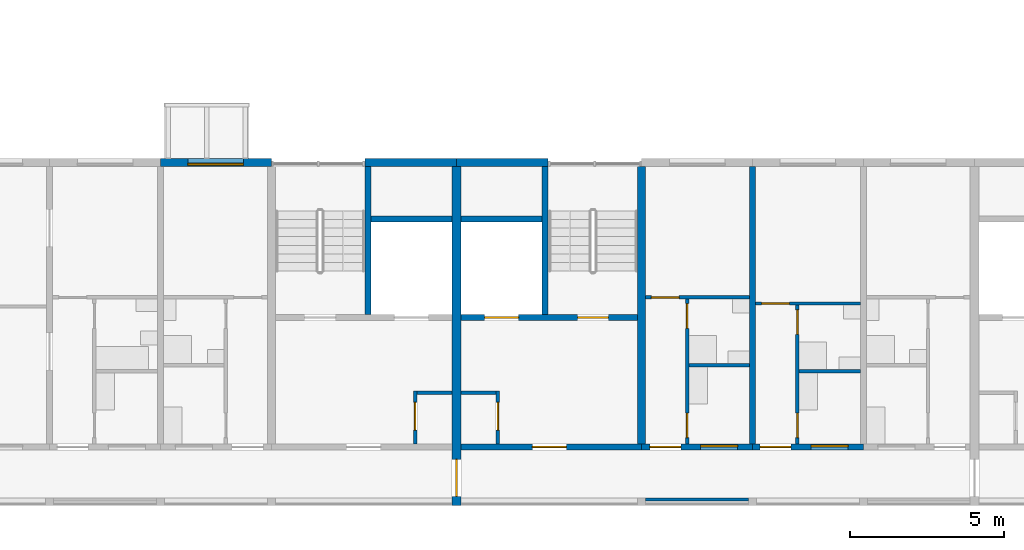
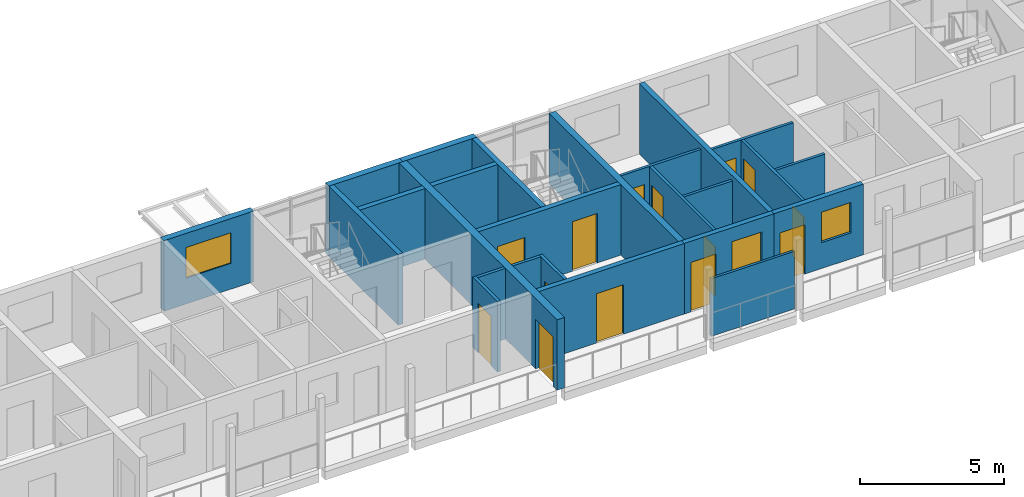
# One storey, part 46 of 78: 25 walls, 14 doors, 3 windows, 17 openings.
"""IFC4 building model written with IfcOpenShell, lengths in metres."""

import ifcopenshell
import ifcopenshell.guid

model = None  # the IFC model being written
_history = None  # IfcOwnerHistory: only IFC2X3 demands one
_inside = {}  # id of a spatial element -> (the spatial element, [elements in it])
_under = {}  # id of a project, library or spatial element -> (it, [spatial elements below it])
_declared = {}  # id of a project -> (the project, [libraries it declares])
_typed = {}  # id of a type object -> (the type object, [elements of that type])
_made_of = {}  # id of a material, layer set ... -> (it, [elements and type objects made of it])


def new_model(schema):
    """Start an empty IFC model of exactly this schema.

    Asked for "IFC4X3", IfcOpenShell would pick the latest addendum, in which some entities
    have other attributes; the version numbers below select the first issue.
    IFC2X3 requires an IfcOwnerHistory on every rooted entity: one is made here for all.
    """
    global model, _history
    if schema == "IFC4X3":
        model = ifcopenshell.file(schema_version=(4, 3, 0, 0))
    else:
        model = ifcopenshell.file(schema=schema)
    _inside.clear()
    _under.clear()
    _declared.clear()
    _typed.clear()
    _made_of.clear()
    _history = None
    if model.schema == "IFC2X3":
        org = make("IfcOrganization", Name="unknown")
        user = make(
            "IfcPersonAndOrganization",
            ThePerson=make("IfcPerson", FamilyName="unknown"),
            TheOrganization=org,
        )
        app = make(
            "IfcApplication",
            ApplicationDeveloper=org,
            Version="unknown",
            ApplicationFullName="unknown",
            ApplicationIdentifier="unknown",
        )
        _history = make(
            "IfcOwnerHistory",
            OwningUser=user,
            OwningApplication=app,
            ChangeAction="ADDED",
            CreationDate=0,
        )
    return model


def make(cls, **values):
    """One entity of the class cls with the attributes given. An attribute that is None is left unset."""
    return model.create_entity(
        cls, **{name: value for name, value in values.items() if value is not None}
    )


def rooted(cls, **values):
    """An entity with a GlobalId (a new one), such as an element, a storey or a relation."""
    return make(cls, GlobalId=ifcopenshell.guid.new(), OwnerHistory=_history, **values)


def si_unit(unit_type, name, prefix=None):
    """IfcSIUnit, for example si_unit("LENGTHUNIT", "METRE", prefix="MILLI")."""
    return make("IfcSIUnit", UnitType=unit_type, Prefix=prefix, Name=name)


def assignment(units):
    """IfcUnitAssignment: the units of a project."""
    return None if units is None else make("IfcUnitAssignment", Units=units)


def point(xyz):
    """IfcCartesianPoint."""
    return None if xyz is None else make("IfcCartesianPoint", Coordinates=xyz)


def direction(xyz):
    """IfcDirection."""
    return None if xyz is None else make("IfcDirection", DirectionRatios=xyz)


def frame(location, z_axis=None, x_axis=None):
    """IfcAxis2Placement3D, a coordinate frame: its origin and axes. An axis left out is left unset."""
    return make(
        "IfcAxis2Placement3D",
        Location=point(location),
        Axis=direction(z_axis),
        RefDirection=direction(x_axis),
    )


def frame_2d(location, x_axis=None):
    """IfcAxis2Placement2D, a coordinate frame in the plane: its origin and x axis."""
    return make(
        "IfcAxis2Placement2D", Location=point(location), RefDirection=direction(x_axis)
    )


def origin():
    """The frame at (0, 0, 0) with its axes left unset."""
    return frame((0.0, 0.0, 0.0))


def place(relative_to, where):
    """IfcLocalPlacement: puts the frame where relative to a parent placement (None: the world)."""
    return make(
        "IfcLocalPlacement", PlacementRelTo=relative_to, RelativePlacement=where
    )


def context(
    kind, dimensions, precision=None, world=None, true_north=None, identifier=None
):
    """IfcGeometricRepresentationContext, for example the 3D "Model" context."""
    return make(
        "IfcGeometricRepresentationContext",
        ContextIdentifier=identifier,
        ContextType=kind,
        CoordinateSpaceDimension=dimensions,
        Precision=precision,
        WorldCoordinateSystem=world,
        TrueNorth=true_north,
    )


def subcontext(parent, identifier, kind, view, scale=None):
    """IfcGeometricRepresentationSubContext, for example "Body" below "Model"."""
    return make(
        "IfcGeometricRepresentationSubContext",
        ContextIdentifier=identifier,
        ContextType=kind,
        ParentContext=parent,
        TargetScale=scale,
        TargetView=view,
    )


def project(units=None, contexts=None):
    """IfcProject with its units and contexts."""
    return rooted(
        "IfcProject",
        Name="project",
        RepresentationContexts=contexts,
        UnitsInContext=assignment(units),
    )


def spatial(cls, under=None, at=None, **own):
    """A site, building, storey or space (cls), placed at a placement, below another one or the project."""
    s = rooted(cls, ObjectPlacement=at, **own)
    if under is not None:
        _under.setdefault(under.id(), (under, []))[1].append(s)
    return s


def profile(cls, at=None, kind="AREA", **sizes):
    """A parametric profile (cls). Its sizes go by their IFC names, for example OverallWidth=200.0."""
    return make(cls, ProfileType=kind, Position=at, **sizes)


def rectangle(**sizes):
    """IfcRectangleProfileDef."""
    return profile("IfcRectangleProfileDef", **sizes)


def extrude(swept, where, along, depth):
    """IfcExtrudedAreaSolid: the profile swept, set in the frame where, extruded along a direction by depth."""
    return make(
        "IfcExtrudedAreaSolid",
        SweptArea=swept,
        Position=where,
        ExtrudedDirection=direction(along),
        Depth=depth,
    )


def shape(context_of_items, identifier, shape_type, items):
    """IfcShapeRepresentation: the items that make up one representation, for example the "Body"."""
    return make(
        "IfcShapeRepresentation",
        ContextOfItems=context_of_items,
        RepresentationIdentifier=identifier,
        RepresentationType=shape_type,
        Items=items,
    )


def material(Name=None, Category=None):
    """IfcMaterial."""
    return make("IfcMaterial", Name=Name, Category=Category)


def layer(
    of_material, thickness, ventilated=None, Name=None, Category=None, Priority=None
):
    """IfcMaterialLayer: one layer of a wall or slab, of a material (None: an air gap)."""
    return make(
        "IfcMaterialLayer",
        Material=of_material,
        LayerThickness=thickness,
        IsVentilated=ventilated,
        Name=Name,
        Category=Category,
        Priority=Priority,
    )


def layer_set(layers, Name=None):
    """IfcMaterialLayerSet."""
    return make("IfcMaterialLayerSet", MaterialLayers=layers, LayerSetName=Name)


def made_of(thing, what):
    """Note that an element or type object is made of a material, layer set ...; save() writes the relation."""
    if what is not None:
        _made_of.setdefault(what.id(), (what, []))[1].append(thing)
    return thing


def type_object(cls, material=None, **own):
    """A type object (cls), such as IfcWallType, which elements share."""
    return made_of(rooted(cls, **own), material)


def element(
    cls,
    number,
    at=None,
    inside=None,
    cuts=None,
    type_object=None,
    material=None,
    context=None,
    identifier="Body",
    shape_type=None,
    held_by="IfcProductDefinitionShape",
    body=None,
    shapes=None,
    **own,
):
    """One element of the class cls, such as IfcWall. Its Tag is "e" and its number.

    at: its placement. inside: the storey or other place that contains it. cuts: it is an
    opening in that element (IfcRelVoidsElement). A single representation is given by context,
    identifier, shape_type and body (its items); several are given by shapes. held_by: the class
    of the entity that holds the representations. save() writes the other relations.
    """
    e = rooted(cls, Tag="e%d" % number, ObjectPlacement=at, **own)
    if body is not None:
        shapes = [shape(context, identifier, shape_type, body)]
    if shapes is not None:
        e.Representation = make(held_by, Representations=shapes)
    if inside is not None:
        _inside.setdefault(inside.id(), (inside, []))[1].append(e)
    if cuts is not None:
        rooted(
            "IfcRelVoidsElement", RelatingBuildingElement=cuts, RelatedOpeningElement=e
        )
    if type_object is not None:
        _typed.setdefault(type_object.id(), (type_object, []))[1].append(e)
    return made_of(e, material)


def fill(opening, filler):
    """IfcRelFillsElement: the door or window that sits in an opening."""
    return rooted(
        "IfcRelFillsElement",
        RelatingOpeningElement=opening,
        RelatedBuildingElement=filler,
    )


def aggregate(whole, parts):
    """IfcRelAggregates: a whole, such as a stair, and the parts it consists of."""
    return rooted("IfcRelAggregates", RelatingObject=whole, RelatedObjects=parts)


def save(model, path):
    """Write the relations noted so far, then the file.

    IfcRelAggregates (storeys below a building ...), IfcRelContainedInSpatialStructure (elements
    in a storey), IfcRelDefinesByType, IfcRelAssociatesMaterial and IfcRelDeclares: one each for
    every whole, place, type object, material and project.
    """
    for whole, parts in _under.values():
        aggregate(whole, parts)
    for where, things in _inside.values():
        rooted(
            "IfcRelContainedInSpatialStructure",
            RelatedElements=things,
            RelatingStructure=where,
        )
    for kind, things in _typed.values():
        rooted("IfcRelDefinesByType", RelatedObjects=things, RelatingType=kind)
    for what, things in _made_of.values():
        rooted("IfcRelAssociatesMaterial", RelatedObjects=things, RelatingMaterial=what)
    for by, libraries in _declared.values():
        rooted("IfcRelDeclares", RelatingContext=by, RelatedDefinitions=libraries)
    model.write(path)


model = new_model("IFC4")

# Units and contexts
model_context = context("Model", 3, precision=1e-05, world=origin(), true_north=direction((0.0, 1.0)))
body_context = subcontext(model_context, "Body", "Model", "MODEL_VIEW")
ifc_project = project(units=[si_unit("LENGTHUNIT", "METRE"), si_unit("AREAUNIT", "SQUARE_METRE"), si_unit("VOLUMEUNIT", "CUBIC_METRE"), si_unit("PLANEANGLEUNIT", "RADIAN"), si_unit("MASSUNIT", "GRAM", prefix="KILO")], contexts=[model_context])

# Site, building, storey
site_placement = place(None, origin())
site = spatial("IfcSite", under=ifc_project, at=site_placement, CompositionType="ELEMENT")
building_placement = place(site_placement, origin())
building = spatial("IfcBuilding", under=site, at=building_placement, Name="Ridgestep Commons", CompositionType="ELEMENT")
storey_placement = place(building_placement, frame((0.0, 0.0, 30.0)))
storey = spatial("IfcBuildingStorey", under=building, at=storey_placement, Name="L10", CompositionType="ELEMENT", Elevation=30.0)

# Wall
ifc_material_1 = material(Name="Concrete C30/37", Category="concrete")
ifc_layer_1 = layer(ifc_material_1, 0.25)
ifc_layer_set_1 = layer_set([ifc_layer_1], Name="Core cross wall 250")
wall_type_1 = type_object("IfcWallType", Name="Core cross wall 250", PredefinedType="SHEAR", material=ifc_layer_set_1)
wall_1_placement = place(storey_placement, frame((220.0, 13.75, 0.0), z_axis=(0.0, 0.0, 1.0), x_axis=(0.0, 1.0, 0.0)))
element("IfcWall", 1, at=wall_1_placement, inside=storey, type_object=wall_type_1, Name="Cross wall D-10-2200", PredefinedType="SHEAR", context=body_context, shape_type="SweptSolid", body=[
    extrude(rectangle(XDim=9.0, YDim=0.25, at=frame_2d((4.5, 0.0))), origin(), (0.0, 0.0, 1.0), 3.0),
])

# Wall, opening, door
ifc_material_2 = material(Name="Concrete C30/37", Category="concrete")
ifc_layer_2 = layer(ifc_material_2, 0.199951171875)
ifc_layer_set_2 = layer_set([ifc_layer_2], Name="Core south wall 200")
wall_type_2 = type_object("IfcWallType", Name="Core south wall 200", PredefinedType="SHEAR", material=ifc_layer_set_2)
wall_2_placement = place(storey_placement, frame((214.14990234375, 13.64990234375, 0.0), z_axis=(0.0, 0.0, 1.0), x_axis=(1.0, 0.0, 0.0)))
wall_2 = element("IfcWall", 2, at=wall_2_placement, inside=storey, type_object=wall_type_2, Name="Core south wall D5C L10", PredefinedType="SHEAR", context=body_context, shape_type="SweptSolid", body=[
    extrude(rectangle(XDim=5.85009765625, YDim=0.199951171875, at=frame_2d((2.925048828125, 0.0))), origin(), (0.0, 0.0, 1.0), 3.0),
])
opening_1_placement = place(wall_2_placement, frame((2.3125, 0.0, 0.0)))
opening_1 = element("IfcOpeningElement", 3, at=opening_1_placement, cuts=wall_2, Name="Opening D5C/10/1", PredefinedType="OPENING", context=body_context, shape_type="SweptSolid", body=[
    extrude(rectangle(XDim=1.10009765625, YDim=2.10009765625, at=frame_2d((0.550048828125, 1.050048828125))), frame((0.0, 0.10986328125, 0.0), z_axis=(0.0, -1.0, 0.0), x_axis=(1.0, 0.0, 0.0)), (0.0, 0.0, 1.0), 0.219970703125),
])
ifc_material_3 = material(Name="Steel fire door", Category="steel")
door_type_1 = type_object("IfcDoorType", Name="Lobby door 1100 x 2100 FD60", OperationType="NOTDEFINED", PredefinedType="DOOR", material=ifc_material_3)
door_1_placement = place(opening_1_placement, origin())
door_1 = element("IfcDoor", 4, at=door_1_placement, inside=storey, type_object=door_type_1, Name="Lobby door D5C/10/1", OperationType="SINGLE_SWING_LEFT", OverallHeight=2.10009765625, OverallWidth=1.10009765625, PredefinedType="DOOR", context=body_context, shape_type="SweptSolid", body=[
    extrude(rectangle(XDim=1.10009765625, YDim=2.10009765625, at=frame_2d((0.550048828125, 1.050048828125))), frame((0.0, 0.02490234375, 0.0), z_axis=(0.0, -1.0, 0.0), x_axis=(1.0, 0.0, 0.0)), (0.0, 0.0, 1.0), 0.050048828125),
])
fill(opening_1, door_1)

ifc_material_4 = material(Name="Concrete C30/37", Category="concrete")
ifc_layer_3 = layer(ifc_material_4, 0.1201171875)
ifc_layer_set_3 = layer_set([ifc_layer_3], Name="Core wall 120")
wall_type_3 = type_object("IfcWallType", Name="Core wall 120", PredefinedType="SHEAR", material=ifc_layer_set_3)
wall_3_placement = place(storey_placement, frame((212.659912109375, 13.75, 0.0), z_axis=(0.0, 0.0, 1.0), x_axis=(0.0, 1.0, 0.0)))
wall_3 = element("IfcWall", 5, at=wall_3_placement, inside=storey, type_object=wall_type_3, Name="Core riser w wall D4C L10", PredefinedType="SHEAR", context=body_context, shape_type="SweptSolid", body=[
    extrude(rectangle(XDim=1.719970703125, YDim=0.1201171875, at=frame_2d((0.85986328125, 0.0))), origin(), (0.0, 0.0, 1.0), 3.0),
])
opening_2_placement = place(wall_3_placement, frame((0.449951171875, 0.0, 0.0)))
opening_2 = element("IfcOpeningElement", 6, at=opening_2_placement, cuts=wall_3, Name="Opening D4C/10/4", PredefinedType="OPENING", context=body_context, shape_type="SweptSolid", body=[
    extrude(rectangle(XDim=0.89990234375, YDim=2.10009765625, at=frame_2d((0.449951171875, 1.050048828125))), frame((0.0, 0.070068359375, 0.0), z_axis=(0.0, -1.0, 0.0), x_axis=(1.0, 0.0, 0.0)), (0.0, 0.0, 1.0), 0.14013671875),
])
ifc_material_5 = material(Name="Steel fire door", Category="steel")
door_type_2 = type_object("IfcDoorType", Name="Riser door 900 x 2100 FD60", OperationType="NOTDEFINED", PredefinedType="DOOR", material=ifc_material_5)
door_2_placement = place(opening_2_placement, origin())
door_2 = element("IfcDoor", 7, at=door_2_placement, inside=storey, type_object=door_type_2, Name="Riser door D4C/10/4", OperationType="SINGLE_SWING_LEFT", OverallHeight=2.10009765625, OverallWidth=0.89990234375, PredefinedType="DOOR", context=body_context, shape_type="SweptSolid", body=[
    extrude(rectangle(XDim=0.89990234375, YDim=2.10009765625, at=frame_2d((0.449951171875, 1.050048828125))), frame((0.0, 0.02490234375, 0.0), z_axis=(0.0, -1.0, 0.0), x_axis=(1.0, 0.0, 0.0)), (0.0, 0.0, 1.0), 0.050048828125),
])
fill(opening_2, door_2)

# Wall
wall_4_placement = place(storey_placement, frame((212.719970703125, 15.409912109375, 0.0), z_axis=(0.0, 0.0, 1.0), x_axis=(1.0, 0.0, 0.0)))
element("IfcWall", 8, at=wall_4_placement, inside=storey, type_object=wall_type_3, Name="Core riser n wall D4C L10", PredefinedType="SHEAR", context=body_context, shape_type="SweptSolid", body=[
    extrude(rectangle(XDim=1.130126953125, YDim=0.1201171875, at=frame_2d((0.56494140625, 0.0))), origin(), (0.0, 0.0, 1.0), 3.0),
])

# Wall, opening, door
wall_5_placement = place(storey_placement, frame((215.340087890625, 13.75, 0.0), z_axis=(0.0, 0.0, 1.0), x_axis=(0.0, 1.0, 0.0)))
wall_5 = element("IfcWall", 9, at=wall_5_placement, inside=storey, type_object=wall_type_3, Name="Core riser w wall D5C L10", PredefinedType="SHEAR", context=body_context, shape_type="SweptSolid", body=[
    extrude(rectangle(XDim=1.719970703125, YDim=0.1201171875, at=frame_2d((0.85986328125, 0.0))), origin(), (0.0, 0.0, 1.0), 3.0),
])
opening_3_placement = place(wall_5_placement, frame((0.449951171875, 0.0, 0.0)))
opening_3 = element("IfcOpeningElement", 10, at=opening_3_placement, cuts=wall_5, Name="Opening D5C/10/4", PredefinedType="OPENING", context=body_context, shape_type="SweptSolid", body=[
    extrude(rectangle(XDim=0.89990234375, YDim=2.10009765625, at=frame_2d((0.449951171875, 1.050048828125))), frame((0.0, 0.070068359375, 0.0), z_axis=(0.0, -1.0, 0.0), x_axis=(1.0, 0.0, 0.0)), (0.0, 0.0, 1.0), 0.14013671875),
])
door_3_placement = place(opening_3_placement, origin())
door_3 = element("IfcDoor", 11, at=door_3_placement, inside=storey, type_object=door_type_2, Name="Riser door D5C/10/4", OperationType="SINGLE_SWING_RIGHT", OverallHeight=2.10009765625, OverallWidth=0.89990234375, PredefinedType="DOOR", context=body_context, shape_type="SweptSolid", body=[
    extrude(rectangle(XDim=0.89990234375, YDim=2.10009765625, at=frame_2d((0.449951171875, 1.050048828125))), frame((0.0, 0.02490234375, 0.0), z_axis=(0.0, -1.0, 0.0), x_axis=(1.0, 0.0, 0.0)), (0.0, 0.0, 1.0), 0.050048828125),
])
fill(opening_3, door_3)

# Walls
wall_6_placement = place(storey_placement, frame((214.14990234375, 15.409912109375, 0.0), z_axis=(0.0, 0.0, 1.0), x_axis=(1.0, 0.0, 0.0)))
element("IfcWall", 12, at=wall_6_placement, inside=storey, type_object=wall_type_3, Name="Core riser n wall D5C L10", PredefinedType="SHEAR", context=body_context, shape_type="SweptSolid", body=[
    extrude(rectangle(XDim=1.130126953125, YDim=0.1201171875, at=frame_2d((0.56494140625, 0.0))), origin(), (0.0, 0.0, 1.0), 3.0),
])
ifc_material_6 = material(Name="Concrete C30/37", Category="concrete")
ifc_layer_4 = layer(ifc_material_6, 0.199951171875)
ifc_layer_set_4 = layer_set([ifc_layer_4], Name="Core wall 200")
wall_type_4 = type_object("IfcWallType", Name="Core wall 200", PredefinedType="SHEAR", material=ifc_layer_set_4)
wall_7_placement = place(storey_placement, frame((211.125, 17.949951171875, 0.0), z_axis=(0.0, 0.0, 1.0), x_axis=(0.0, 1.0, 0.0)))
element("IfcWall", 13, at=wall_7_placement, inside=storey, type_object=wall_type_4, Name="Core stair wall D4C L10", PredefinedType="SHEAR", context=body_context, shape_type="SweptSolid", body=[
    extrude(rectangle(XDim=4.800048828125, YDim=0.199951171875, at=frame_2d((2.39990234375, 0.0))), origin(), (0.0, 0.0, 1.0), 3.0),
])
wall_8_placement = place(storey_placement, frame((211.22509765625, 21.050048828125, 0.0), z_axis=(0.0, 0.0, 1.0), x_axis=(1.0, 0.0, 0.0)))
element("IfcWall", 14, at=wall_8_placement, inside=storey, type_object=wall_type_4, Name="Core duct wall D4C L10", PredefinedType="SHEAR", context=body_context, shape_type="SweptSolid", body=[
    extrude(rectangle(XDim=2.625, YDim=0.199951171875, at=frame_2d((1.3125, 0.0))), origin(), (0.0, 0.0, 1.0), 3.0),
])

# Wall, openings, doors
wall_9_placement = place(storey_placement, frame((214.14990234375, 17.85009765625, 0.0), z_axis=(0.0, 0.0, 1.0), x_axis=(1.0, 0.0, 0.0)))
wall_9 = element("IfcWall", 15, at=wall_9_placement, inside=storey, type_object=wall_type_4, Name="Core lobby wall D5C L10", PredefinedType="SHEAR", context=body_context, shape_type="SweptSolid", body=[
    extrude(rectangle(XDim=5.72509765625, YDim=0.199951171875, at=frame_2d((2.862548828125, 0.0))), origin(), (0.0, 0.0, 1.0), 3.0),
])
opening_4_placement = place(wall_9_placement, frame((3.77490234375, 0.0, 0.0)))
opening_4 = element("IfcOpeningElement", 16, at=opening_4_placement, cuts=wall_9, Name="Opening D5C/10/2", PredefinedType="OPENING", context=body_context, shape_type="SweptSolid", body=[
    extrude(rectangle(XDim=1.0, YDim=2.10009765625, at=frame_2d((0.5, 1.050048828125))), frame((0.0, 0.10986328125, 0.0), z_axis=(0.0, -1.0, 0.0), x_axis=(1.0, 0.0, 0.0)), (0.0, 0.0, 1.0), 0.219970703125),
])
opening_5_placement = place(wall_9_placement, frame((0.762451171875, 0.0, 0.0)))
opening_5 = element("IfcOpeningElement", 17, at=opening_5_placement, cuts=wall_9, Name="Opening D5C/10/3", PredefinedType="OPENING", context=body_context, shape_type="SweptSolid", body=[
    extrude(rectangle(XDim=1.10009765625, YDim=2.10009765625, at=frame_2d((0.550048828125, 1.050048828125))), frame((0.0, 0.10986328125, 0.0), z_axis=(0.0, -1.0, 0.0), x_axis=(1.0, 0.0, 0.0)), (0.0, 0.0, 1.0), 0.219970703125),
])
ifc_material_7 = material(Name="Stainless steel", Category="steel")
door_type_3 = type_object("IfcDoorType", Name="Lift landing door 1100 x 2100 FD60", OperationType="DOUBLE_DOOR_SLIDING", PredefinedType="DOOR", material=ifc_material_7)
door_4_placement = place(opening_5_placement, origin())
door_4 = element("IfcDoor", 18, at=door_4_placement, inside=storey, type_object=door_type_3, Name="Landing door LD D5C L10", OperationType="DOUBLE_DOOR_SLIDING", OverallHeight=2.10009765625, OverallWidth=1.10009765625, PredefinedType="DOOR", context=body_context, shape_type="SweptSolid", body=[
    extrude(rectangle(XDim=1.10009765625, YDim=2.10009765625, at=frame_2d((0.550048828125, 1.050048828125))), frame((0.0, 0.02490234375, 0.0), z_axis=(0.0, -1.0, 0.0), x_axis=(1.0, 0.0, 0.0)), (0.0, 0.0, 1.0), 0.050048828125),
])
fill(opening_5, door_4)
ifc_material_8 = material(Name="Steel fire door", Category="steel")
door_type_4 = type_object("IfcDoorType", Name="Stair door 1000 x 2100 FD60", OperationType="NOTDEFINED", PredefinedType="DOOR", material=ifc_material_8)
door_5_placement = place(opening_4_placement, origin())
door_5 = element("IfcDoor", 19, at=door_5_placement, inside=storey, type_object=door_type_4, Name="Stair door D5C/10/2", OperationType="SINGLE_SWING_RIGHT", OverallHeight=2.10009765625, OverallWidth=1.0, PredefinedType="DOOR", context=body_context, shape_type="SweptSolid", body=[
    extrude(rectangle(XDim=1.0, YDim=2.10009765625, at=frame_2d((0.5, 1.050048828125))), frame((0.0, 0.02490234375, 0.0), z_axis=(0.0, -1.0, 0.0), x_axis=(1.0, 0.0, 0.0)), (0.0, 0.0, 1.0), 0.050048828125),
])
fill(opening_4, door_5)

# Walls
wall_10_placement = place(storey_placement, frame((216.875, 17.949951171875, 0.0), z_axis=(0.0, 0.0, 1.0), x_axis=(0.0, 1.0, 0.0)))
element("IfcWall", 20, at=wall_10_placement, inside=storey, type_object=wall_type_4, Name="Core stair wall D5C L10", PredefinedType="SHEAR", context=body_context, shape_type="SweptSolid", body=[
    extrude(rectangle(XDim=4.800048828125, YDim=0.199951171875, at=frame_2d((2.39990234375, 0.0))), origin(), (0.0, 0.0, 1.0), 3.0),
])
wall_11_placement = place(storey_placement, frame((214.14990234375, 21.050048828125, 0.0), z_axis=(0.0, 0.0, 1.0), x_axis=(1.0, 0.0, 0.0)))
element("IfcWall", 21, at=wall_11_placement, inside=storey, type_object=wall_type_4, Name="Core duct wall D5C L10", PredefinedType="SHEAR", context=body_context, shape_type="SweptSolid", body=[
    extrude(rectangle(XDim=2.625, YDim=0.199951171875, at=frame_2d((1.3125, 0.0))), origin(), (0.0, 0.0, 1.0), 3.0),
])
ifc_material_9 = material(Name="Precast concrete C40/50", Category="concrete")
ifc_layer_5 = layer(ifc_material_9, 0.199951171875)
ifc_layer_set_5 = layer_set([ifc_layer_5], Name="Cross wall 200")
wall_type_5 = type_object("IfcWallType", Name="Cross wall 200", PredefinedType="SHEAR", material=ifc_layer_set_5)
wall_12_placement = place(storey_placement, frame((223.60009765625, 13.75, 0.0), z_axis=(0.0, 0.0, 1.0), x_axis=(0.0, 1.0, 0.0)))
element("IfcWall", 22, at=wall_12_placement, inside=storey, type_object=wall_type_5, Name="Cross wall D-10-2236", PredefinedType="SHEAR", context=body_context, shape_type="SweptSolid", body=[
    extrude(rectangle(XDim=9.0, YDim=0.199951171875, at=frame_2d((4.5, 0.0))), origin(), (0.0, 0.0, 1.0), 3.0),
])

# Wall, opening, door
ifc_material_10 = material(Name="Precast concrete C40/50", Category="concrete")
ifc_layer_6 = layer(ifc_material_10, 0.300048828125)
ifc_layer_set_6 = layer_set([ifc_layer_6], Name="Division wall 300")
wall_type_6 = type_object("IfcWallType", Name="Division wall 300", PredefinedType="SHEAR", material=ifc_layer_set_6)
wall_13_placement = place(storey_placement, frame((214.0, 11.75, 0.0), z_axis=(0.0, 0.0, 1.0), x_axis=(0.0, 1.0, 0.0)))
wall_13 = element("IfcWall", 23, at=wall_13_placement, inside=storey, type_object=wall_type_6, Name="Cross wall D-10-2140", PredefinedType="SHEAR", context=body_context, shape_type="SweptSolid", body=[
    extrude(rectangle(XDim=11.0, YDim=0.300048828125, at=frame_2d((5.5, 0.0))), origin(), (0.0, 0.0, 1.0), 3.0),
])
opening_6_placement = place(wall_13_placement, frame((0.300048828125, 0.0, 0.0)))
opening_6 = element("IfcOpeningElement", 24, at=opening_6_placement, cuts=wall_13, Name="Opening D/10/G2140", PredefinedType="OPENING", context=body_context, shape_type="SweptSolid", body=[
    extrude(rectangle(XDim=1.199951171875, YDim=2.10009765625, at=frame_2d((0.60009765625, 1.050048828125))), frame((0.0, 0.159912109375, 0.0), z_axis=(0.0, -1.0, 0.0), x_axis=(1.0, 0.0, 0.0)), (0.0, 0.0, 1.0), 0.320068359375),
])
ifc_material_11 = material(Name="Steel fire door", Category="steel")
door_type_5 = type_object("IfcDoorType", Name="Division fire door 1200 x 2100 EI 240", OperationType="DOUBLE_DOOR_SINGLE_SWING", PredefinedType="DOOR", material=ifc_material_11)
door_6_placement = place(opening_6_placement, origin())
door_6 = element("IfcDoor", 25, at=door_6_placement, inside=storey, type_object=door_type_5, Name="Division fire door D/10/G2140", OperationType="DOUBLE_DOOR_SINGLE_SWING", OverallHeight=2.10009765625, OverallWidth=1.199951171875, PredefinedType="DOOR", context=body_context, shape_type="SweptSolid", body=[
    extrude(rectangle(XDim=1.199951171875, YDim=2.10009765625, at=frame_2d((0.60009765625, 1.050048828125))), frame((0.0, 0.02490234375, 0.0), z_axis=(0.0, -1.0, 0.0), x_axis=(1.0, 0.0, 0.0)), (0.0, 0.0, 1.0), 0.050048828125),
])
fill(opening_6, door_6)

# Wall, opening, window
ifc_material_12 = material(Name="Precast concrete C40/50", Category="concrete")
ifc_layer_7 = layer(ifc_material_12, 0.25)
ifc_layer_set_7 = layer_set([ifc_layer_7], Name="North facade panel 250")
wall_type_7 = type_object("IfcWallType", Name="North facade panel 250", PredefinedType="SOLIDWALL", material=ifc_layer_set_7)
wall_14_placement = place(storey_placement, frame((204.39990234375, 22.875, 0.0), z_axis=(0.0, 0.0, 1.0), x_axis=(1.0, 0.0, 0.0)))
wall_14 = element("IfcWall", 26, at=wall_14_placement, inside=storey, type_object=wall_type_7, Name="North panel D4T3 L10", PredefinedType="SOLIDWALL", context=body_context, shape_type="SweptSolid", body=[
    extrude(rectangle(XDim=3.60009765625, YDim=0.25, at=frame_2d((1.800048828125, 0.0))), origin(), (0.0, 0.0, 1.0), 3.0),
])
opening_7_placement = place(wall_14_placement, frame((0.887451171875, 0.0, 1.10009765625)))
opening_7 = element("IfcOpeningElement", 27, at=opening_7_placement, cuts=wall_14, Name="Opening W18", PredefinedType="OPENING", context=body_context, shape_type="SweptSolid", body=[
    extrude(rectangle(XDim=1.800048828125, YDim=1.300048828125, at=frame_2d((0.89990234375, 0.64990234375))), frame((0.0, 0.135009765625, 0.0), z_axis=(0.0, -1.0, 0.0), x_axis=(1.0, 0.0, 0.0)), (0.0, 0.0, 1.0), 0.27001953125),
])
ifc_material_13 = material(Name="Aluminium 6063-T6 and glass", Category="aluminium")
window_type_1 = type_object("IfcWindowType", Name="Flat window 1800 x 1300", PartitioningType="DOUBLE_PANEL_VERTICAL", PredefinedType="WINDOW", material=ifc_material_13)
window_1_placement = place(opening_7_placement, origin())
window_1 = element("IfcWindow", 28, at=window_1_placement, inside=storey, type_object=window_type_1, Name="Window D4-10b 2", OverallHeight=1.300048828125, OverallWidth=1.800048828125, PartitioningType="SINGLE_PANEL", PredefinedType="WINDOW", context=body_context, shape_type="SweptSolid", body=[
    extrude(rectangle(XDim=1.800048828125, YDim=1.300048828125, at=frame_2d((0.89990234375, 0.64990234375))), frame((0.0, -0.02490234375, 0.0), z_axis=(0.0, -1.0, 0.0), x_axis=(1.0, 0.0, 0.0)), (0.0, 0.0, 1.0), 0.06005859375),
])
fill(opening_7, window_1)

# Walls
for number, where, z_axis, x_axis, name in (
    (29, (211.02490234375, 22.875, 0.0), (0.0, 0.0, 1.0), (1.0, 0.0, 0.0), "North panel D4C L10"),
    (30, (214.0, 22.875, 0.0), (0.0, 0.0, 1.0), (1.0, 0.0, 0.0), "North panel D5C L10"),
):
    element("IfcWall", number, at=place(storey_placement, frame(where, z_axis=z_axis, x_axis=x_axis)), inside=storey, type_object=wall_type_7, Name=name, PredefinedType="SOLIDWALL", context=body_context, shape_type="SweptSolid", body=[
        extrude(rectangle(XDim=2.97509765625, YDim=0.25, at=frame_2d((1.487548828125, 0.0))), origin(), (0.0, 0.0, 1.0), 3.0),
    ])

# Wall, openings, doors
ifc_material_14 = material(Name="Common brick 110 mm", Category="masonry")
ifc_layer_8 = layer(ifc_material_14, 0.110107421875)
ifc_layer_set_8 = layer_set([ifc_layer_8], Name="Partition 110")
wall_type_8 = type_object("IfcWallType", Name="Partition 110", PredefinedType="PARTITIONING", material=ifc_layer_set_8)
wall_15_placement = place(storey_placement, frame((225.054931640625, 13.75, 0.0), z_axis=(0.0, 0.0, 1.0), x_axis=(0.0, 1.0, 0.0)))
wall_15 = element("IfcWall", 31, at=wall_15_placement, inside=storey, type_object=wall_type_8, Name="Partition D5-10b", PredefinedType="PARTITIONING", context=body_context, shape_type="SweptSolid", body=[
    extrude(rectangle(XDim=4.5, YDim=0.110107421875, at=frame_2d((2.25, 0.0))), origin(), (0.0, 0.0, 1.0), 2.800048828125),
])
opening_8_placement = place(wall_15_placement, frame((0.199951171875, 0.0, 0.0)))
opening_8 = element("IfcOpeningElement", 32, at=opening_8_placement, cuts=wall_15, Name="Opening D5-10b/2", PredefinedType="OPENING", context=body_context, shape_type="SweptSolid", body=[
    extrude(rectangle(XDim=0.800048828125, YDim=2.10009765625, at=frame_2d((0.39990234375, 1.050048828125))), frame((0.0, 0.06494140625, 0.0), z_axis=(0.0, -1.0, 0.0), x_axis=(1.0, 0.0, 0.0)), (0.0, 0.0, 1.0), 0.130126953125),
])
opening_9_placement = place(wall_15_placement, frame((3.550048828125, 0.0, 0.0)))
opening_9 = element("IfcOpeningElement", 33, at=opening_9_placement, cuts=wall_15, Name="Opening D5-10b/3", PredefinedType="OPENING", context=body_context, shape_type="SweptSolid", body=[
    extrude(rectangle(XDim=0.800048828125, YDim=2.10009765625, at=frame_2d((0.39990234375, 1.050048828125))), frame((0.0, 0.06494140625, 0.0), z_axis=(0.0, -1.0, 0.0), x_axis=(1.0, 0.0, 0.0)), (0.0, 0.0, 1.0), 0.130126953125),
])
ifc_material_15 = material(Name="Timber door leaf", Category="wood")
door_type_6 = type_object("IfcDoorType", Name="Internal door 800 x 2100", OperationType="NOTDEFINED", PredefinedType="DOOR", material=ifc_material_15)
door_7_placement = place(opening_8_placement, origin())
door_7 = element("IfcDoor", 34, at=door_7_placement, inside=storey, type_object=door_type_6, Name="Internal door D5-10b/2", OperationType="SINGLE_SWING_RIGHT", OverallHeight=2.10009765625, OverallWidth=0.800048828125, PredefinedType="DOOR", context=body_context, shape_type="SweptSolid", body=[
    extrude(rectangle(XDim=0.800048828125, YDim=2.10009765625, at=frame_2d((0.39990234375, 1.050048828125))), frame((0.0, 0.02490234375, 0.0), z_axis=(0.0, -1.0, 0.0), x_axis=(1.0, 0.0, 0.0)), (0.0, 0.0, 1.0), 0.050048828125),
])
fill(opening_8, door_7)
door_8_placement = place(opening_9_placement, origin())
door_8 = element("IfcDoor", 35, at=door_8_placement, inside=storey, type_object=door_type_6, Name="Internal door D5-10b/3", OperationType="SINGLE_SWING_LEFT", OverallHeight=2.10009765625, OverallWidth=0.800048828125, PredefinedType="DOOR", context=body_context, shape_type="SweptSolid", body=[
    extrude(rectangle(XDim=0.800048828125, YDim=2.10009765625, at=frame_2d((0.39990234375, 1.050048828125))), frame((0.0, 0.02490234375, 0.0), z_axis=(0.0, -1.0, 0.0), x_axis=(1.0, 0.0, 0.0)), (0.0, 0.0, 1.0), 0.050048828125),
])
fill(opening_9, door_8)

# Wall
wall_16_placement = place(storey_placement, frame((225.110107421875, 16.10498046875, 0.0), z_axis=(0.0, 0.0, 1.0), x_axis=(1.0, 0.0, 0.0)))
element("IfcWall", 36, at=wall_16_placement, inside=storey, type_object=wall_type_8, Name="Partition D5-10b", PredefinedType="PARTITIONING", context=body_context, shape_type="SweptSolid", body=[
    extrude(rectangle(XDim=1.989990234375, YDim=0.110107421875, at=frame_2d((0.9951171875, 0.0))), origin(), (0.0, 0.0, 1.0), 2.800048828125),
])

# Wall, opening, door
wall_17_placement = place(storey_placement, frame((223.699951171875, 18.304931640625, 0.0), z_axis=(0.0, 0.0, 1.0), x_axis=(1.0, 0.0, 0.0)))
wall_17 = element("IfcWall", 37, at=wall_17_placement, inside=storey, type_object=wall_type_8, Name="Partition D5-10b", PredefinedType="PARTITIONING", context=body_context, shape_type="SweptSolid", body=[
    extrude(rectangle(XDim=3.400146484375, YDim=0.110107421875, at=frame_2d((1.7001953125, 0.0))), origin(), (0.0, 0.0, 1.0), 2.800048828125),
])
opening_10_placement = place(wall_17_placement, frame((0.199951171875, 0.0, 0.0)))
opening_10 = element("IfcOpeningElement", 38, at=opening_10_placement, cuts=wall_17, Name="Opening D5-10b/4", PredefinedType="OPENING", context=body_context, shape_type="SweptSolid", body=[
    extrude(rectangle(XDim=0.89990234375, YDim=2.10009765625, at=frame_2d((0.449951171875, 1.050048828125))), frame((0.0, 0.06494140625, 0.0), z_axis=(0.0, -1.0, 0.0), x_axis=(1.0, 0.0, 0.0)), (0.0, 0.0, 1.0), 0.130126953125),
])
ifc_material_16 = material(Name="Timber door leaf", Category="wood")
door_type_7 = type_object("IfcDoorType", Name="Internal door 900 x 2100", OperationType="NOTDEFINED", PredefinedType="DOOR", material=ifc_material_16)
door_9_placement = place(opening_10_placement, origin())
door_9 = element("IfcDoor", 39, at=door_9_placement, inside=storey, type_object=door_type_7, Name="Internal door D5-10b/4", OperationType="SINGLE_SWING_LEFT", OverallHeight=2.10009765625, OverallWidth=0.89990234375, PredefinedType="DOOR", context=body_context, shape_type="SweptSolid", body=[
    extrude(rectangle(XDim=0.89990234375, YDim=2.10009765625, at=frame_2d((0.449951171875, 1.050048828125))), frame((0.0, 0.02490234375, 0.0), z_axis=(0.0, -1.0, 0.0), x_axis=(1.0, 0.0, 0.0)), (0.0, 0.0, 1.0), 0.050048828125),
])
fill(opening_10, door_9)

# Wall, openings, doors
wall_18_placement = place(storey_placement, frame((221.47998046875, 13.75, 0.0), z_axis=(0.0, 0.0, 1.0), x_axis=(0.0, 1.0, 0.0)))
wall_18 = element("IfcWall", 40, at=wall_18_placement, inside=storey, type_object=wall_type_8, Name="Partition D5-10c", PredefinedType="PARTITIONING", context=body_context, shape_type="SweptSolid", body=[
    extrude(rectangle(XDim=4.699951171875, YDim=0.110107421875, at=frame_2d((2.35009765625, 0.0))), origin(), (0.0, 0.0, 1.0), 2.800048828125),
])
opening_11_placement = place(wall_18_placement, frame((0.199951171875, 0.0, 0.0)))
opening_11 = element("IfcOpeningElement", 41, at=opening_11_placement, cuts=wall_18, Name="Opening D5-10c/2", PredefinedType="OPENING", context=body_context, shape_type="SweptSolid", body=[
    extrude(rectangle(XDim=0.800048828125, YDim=2.10009765625, at=frame_2d((0.39990234375, 1.050048828125))), frame((0.0, 0.06494140625, 0.0), z_axis=(0.0, -1.0, 0.0), x_axis=(1.0, 0.0, 0.0)), (0.0, 0.0, 1.0), 0.130126953125),
])
opening_12_placement = place(wall_18_placement, frame((3.75, 0.0, 0.0)))
opening_12 = element("IfcOpeningElement", 42, at=opening_12_placement, cuts=wall_18, Name="Opening D5-10c/3", PredefinedType="OPENING", context=body_context, shape_type="SweptSolid", body=[
    extrude(rectangle(XDim=0.800048828125, YDim=2.10009765625, at=frame_2d((0.39990234375, 1.050048828125))), frame((0.0, 0.06494140625, 0.0), z_axis=(0.0, -1.0, 0.0), x_axis=(1.0, 0.0, 0.0)), (0.0, 0.0, 1.0), 0.130126953125),
])
door_10_placement = place(opening_11_placement, origin())
door_10 = element("IfcDoor", 43, at=door_10_placement, inside=storey, type_object=door_type_6, Name="Internal door D5-10c/2", OperationType="SINGLE_SWING_RIGHT", OverallHeight=2.10009765625, OverallWidth=0.800048828125, PredefinedType="DOOR", context=body_context, shape_type="SweptSolid", body=[
    extrude(rectangle(XDim=0.800048828125, YDim=2.10009765625, at=frame_2d((0.39990234375, 1.050048828125))), frame((0.0, 0.02490234375, 0.0), z_axis=(0.0, -1.0, 0.0), x_axis=(1.0, 0.0, 0.0)), (0.0, 0.0, 1.0), 0.050048828125),
])
fill(opening_11, door_10)
door_11_placement = place(opening_12_placement, origin())
door_11 = element("IfcDoor", 44, at=door_11_placement, inside=storey, type_object=door_type_6, Name="Internal door D5-10c/3", OperationType="SINGLE_SWING_LEFT", OverallHeight=2.10009765625, OverallWidth=0.800048828125, PredefinedType="DOOR", context=body_context, shape_type="SweptSolid", body=[
    extrude(rectangle(XDim=0.800048828125, YDim=2.10009765625, at=frame_2d((0.39990234375, 1.050048828125))), frame((0.0, 0.02490234375, 0.0), z_axis=(0.0, -1.0, 0.0), x_axis=(1.0, 0.0, 0.0)), (0.0, 0.0, 1.0), 0.050048828125),
])
fill(opening_12, door_11)

# Wall
wall_19_placement = place(storey_placement, frame((221.534912109375, 16.304931640625, 0.0), z_axis=(0.0, 0.0, 1.0), x_axis=(1.0, 0.0, 0.0)))
element("IfcWall", 45, at=wall_19_placement, inside=storey, type_object=wall_type_8, Name="Partition D5-10c", PredefinedType="PARTITIONING", context=body_context, shape_type="SweptSolid", body=[
    extrude(rectangle(XDim=1.965087890625, YDim=0.110107421875, at=frame_2d((0.982421875, 0.0))), origin(), (0.0, 0.0, 1.0), 2.800048828125),
])

# Wall, opening, door
wall_20_placement = place(storey_placement, frame((220.125, 18.5048828125, 0.0), z_axis=(0.0, 0.0, 1.0), x_axis=(1.0, 0.0, 0.0)))
wall_20 = element("IfcWall", 46, at=wall_20_placement, inside=storey, type_object=wall_type_8, Name="Partition D5-10c", PredefinedType="PARTITIONING", context=body_context, shape_type="SweptSolid", body=[
    extrude(rectangle(XDim=3.375, YDim=0.110107421875, at=frame_2d((1.6875, 0.0))), origin(), (0.0, 0.0, 1.0), 2.800048828125),
])
opening_13_placement = place(wall_20_placement, frame((0.199951171875, 0.0, 0.0)))
opening_13 = element("IfcOpeningElement", 47, at=opening_13_placement, cuts=wall_20, Name="Opening D5-10c/4", PredefinedType="OPENING", context=body_context, shape_type="SweptSolid", body=[
    extrude(rectangle(XDim=0.89990234375, YDim=2.10009765625, at=frame_2d((0.449951171875, 1.050048828125))), frame((0.0, 0.06494140625, 0.0), z_axis=(0.0, -1.0, 0.0), x_axis=(1.0, 0.0, 0.0)), (0.0, 0.0, 1.0), 0.130126953125),
])
door_12_placement = place(opening_13_placement, origin())
door_12 = element("IfcDoor", 48, at=door_12_placement, inside=storey, type_object=door_type_7, Name="Internal door D5-10c/4", OperationType="SINGLE_SWING_LEFT", OverallHeight=2.10009765625, OverallWidth=0.89990234375, PredefinedType="DOOR", context=body_context, shape_type="SweptSolid", body=[
    extrude(rectangle(XDim=0.89990234375, YDim=2.10009765625, at=frame_2d((0.449951171875, 1.050048828125))), frame((0.0, 0.02490234375, 0.0), z_axis=(0.0, -1.0, 0.0), x_axis=(1.0, 0.0, 0.0)), (0.0, 0.0, 1.0), 0.050048828125),
])
fill(opening_13, door_12)

# Wall
ifc_material_17 = material(Name="Precast concrete C30/37", Category="concrete")
ifc_layer_9 = layer(ifc_material_17, 0.10009765625)
ifc_layer_set_9 = layer_set([ifc_layer_9], Name="Perforated gallery screen 3350 x 2450 x 100")
wall_type_9 = type_object("IfcWallType", Name="Perforated gallery screen 3350 x 2450 x 100", PredefinedType="SOLIDWALL", material=ifc_layer_set_9)
wall_21_placement = place(storey_placement, frame((220.125, 11.949951171875, 0.0), z_axis=(0.0, 0.0, 1.0), x_axis=(1.0, 0.0, 0.0)))
element("IfcWall", 49, at=wall_21_placement, inside=storey, type_object=wall_type_9, Name="Gallery screen D5T3 10", PredefinedType="SOLIDWALL", context=body_context, shape_type="SweptSolid", body=[
    extrude(rectangle(XDim=3.35009765625, YDim=0.10009765625, at=frame_2d((1.675048828125, 0.0))), origin(), (0.0, 0.0, 1.0), 2.449951171875),
])

# Wall, openings, door, window
ifc_material_18 = material(Name="Precast concrete C40/50", Category="concrete")
ifc_layer_10 = layer(ifc_material_18, 0.199951171875)
ifc_layer_set_10 = layer_set([ifc_layer_10], Name="South facade panel 200")
wall_type_10 = type_object("IfcWallType", Name="South facade panel 200", PredefinedType="SOLIDWALL", material=ifc_layer_set_10)
wall_22_placement = place(storey_placement, frame((220.0, 13.64990234375, 0.0), z_axis=(0.0, 0.0, 1.0), x_axis=(1.0, 0.0, 0.0)))
wall_22 = element("IfcWall", 50, at=wall_22_placement, inside=storey, type_object=wall_type_10, Name="South panel D5T3 L10", PredefinedType="SOLIDWALL", context=body_context, shape_type="SweptSolid", body=[
    extrude(rectangle(XDim=3.60009765625, YDim=0.199951171875, at=frame_2d((1.800048828125, 0.0))), origin(), (0.0, 0.0, 1.0), 3.0),
])
opening_14_placement = place(wall_22_placement, frame((1.91748046875, 0.0, 1.10009765625)))
opening_14 = element("IfcOpeningElement", 51, at=opening_14_placement, cuts=wall_22, Name="Opening W08", PredefinedType="OPENING", context=body_context, shape_type="SweptSolid", body=[
    extrude(rectangle(XDim=1.199951171875, YDim=1.300048828125, at=frame_2d((0.60009765625, 0.64990234375))), frame((0.0, 0.10986328125, 0.0), z_axis=(0.0, -1.0, 0.0), x_axis=(1.0, 0.0, 0.0)), (0.0, 0.0, 1.0), 0.219970703125),
])
opening_15_placement = place(wall_22_placement, frame((0.27490234375, 0.0, 0.0)))
opening_15 = element("IfcOpeningElement", 52, at=opening_15_placement, cuts=wall_22, Name="Opening D5-10c/1", PredefinedType="OPENING", context=body_context, shape_type="SweptSolid", body=[
    extrude(rectangle(XDim=1.0, YDim=2.10009765625, at=frame_2d((0.5, 1.050048828125))), frame((0.0, 0.10986328125, 0.0), z_axis=(0.0, -1.0, 0.0), x_axis=(1.0, 0.0, 0.0)), (0.0, 0.0, 1.0), 0.219970703125),
])
ifc_material_19 = material(Name="Timber door leaf", Category="wood")
door_type_8 = type_object("IfcDoorType", Name="Flat entrance door 1000 x 2100 FD30S", OperationType="NOTDEFINED", PredefinedType="DOOR", material=ifc_material_19)
door_13_placement = place(opening_15_placement, origin())
door_13 = element("IfcDoor", 53, at=door_13_placement, inside=storey, type_object=door_type_8, Name="Flat entrance door D5-10c/1", OperationType="SINGLE_SWING_LEFT", OverallHeight=2.10009765625, OverallWidth=1.0, PredefinedType="DOOR", context=body_context, shape_type="SweptSolid", body=[
    extrude(rectangle(XDim=1.0, YDim=2.10009765625, at=frame_2d((0.5, 1.050048828125))), frame((0.0, 0.02490234375, 0.0), z_axis=(0.0, -1.0, 0.0), x_axis=(1.0, 0.0, 0.0)), (0.0, 0.0, 1.0), 0.050048828125),
])
fill(opening_15, door_13)
ifc_material_20 = material(Name="Aluminium 6063-T6 and glass", Category="aluminium")
window_type_2 = type_object("IfcWindowType", Name="Flat window 1200 x 1300", PartitioningType="SINGLE_PANEL", PredefinedType="WINDOW", material=ifc_material_20)
window_2_placement = place(opening_14_placement, origin())
window_2 = element("IfcWindow", 54, at=window_2_placement, inside=storey, type_object=window_type_2, Name="Window D5-10c 1", OverallHeight=1.300048828125, OverallWidth=1.199951171875, PartitioningType="SINGLE_PANEL", PredefinedType="WINDOW", context=body_context, shape_type="SweptSolid", body=[
    extrude(rectangle(XDim=1.199951171875, YDim=1.300048828125, at=frame_2d((0.60009765625, 0.64990234375))), frame((0.0, 0.06005859375, 0.0), z_axis=(0.0, -1.0, 0.0), x_axis=(1.0, 0.0, 0.0)), (0.0, 0.0, 1.0), 0.06005859375),
])
fill(opening_14, window_2)

wall_23_placement = place(storey_placement, frame((223.60009765625, 13.64990234375, 0.0), z_axis=(0.0, 0.0, 1.0), x_axis=(1.0, 0.0, 0.0)))
wall_23 = element("IfcWall", 55, at=wall_23_placement, inside=storey, type_object=wall_type_10, Name="South panel D5T2 L10", PredefinedType="SOLIDWALL", context=body_context, shape_type="SweptSolid", body=[
    extrude(rectangle(XDim=3.599853515625, YDim=0.199951171875, at=frame_2d((1.7998046875, 0.0))), origin(), (0.0, 0.0, 1.0), 3.0),
])
opening_16_placement = place(wall_23_placement, frame((1.905029296875, 0.0, 1.10009765625)))
opening_16 = element("IfcOpeningElement", 56, at=opening_16_placement, cuts=wall_23, Name="Opening W08", PredefinedType="OPENING", context=body_context, shape_type="SweptSolid", body=[
    extrude(rectangle(XDim=1.199951171875, YDim=1.300048828125, at=frame_2d((0.60009765625, 0.64990234375))), frame((0.0, 0.10986328125, 0.0), z_axis=(0.0, -1.0, 0.0), x_axis=(1.0, 0.0, 0.0)), (0.0, 0.0, 1.0), 0.219970703125),
])
opening_17_placement = place(wall_23_placement, frame((0.25, 0.0, 0.0)))
opening_17 = element("IfcOpeningElement", 57, at=opening_17_placement, cuts=wall_23, Name="Opening D5-10b/1", PredefinedType="OPENING", context=body_context, shape_type="SweptSolid", body=[
    extrude(rectangle(XDim=1.0, YDim=2.10009765625, at=frame_2d((0.5, 1.050048828125))), frame((0.0, 0.10986328125, 0.0), z_axis=(0.0, -1.0, 0.0), x_axis=(1.0, 0.0, 0.0)), (0.0, 0.0, 1.0), 0.219970703125),
])
door_14_placement = place(opening_17_placement, origin())
door_14 = element("IfcDoor", 58, at=door_14_placement, inside=storey, type_object=door_type_8, Name="Flat entrance door D5-10b/1", OperationType="SINGLE_SWING_LEFT", OverallHeight=2.10009765625, OverallWidth=1.0, PredefinedType="DOOR", context=body_context, shape_type="SweptSolid", body=[
    extrude(rectangle(XDim=1.0, YDim=2.10009765625, at=frame_2d((0.5, 1.050048828125))), frame((0.0, 0.02490234375, 0.0), z_axis=(0.0, -1.0, 0.0), x_axis=(1.0, 0.0, 0.0)), (0.0, 0.0, 1.0), 0.050048828125),
])
fill(opening_17, door_14)
window_3_placement = place(opening_16_placement, origin())
window_3 = element("IfcWindow", 59, at=window_3_placement, inside=storey, type_object=window_type_2, Name="Window D5-10b 1", OverallHeight=1.300048828125, OverallWidth=1.199951171875, PartitioningType="SINGLE_PANEL", PredefinedType="WINDOW", context=body_context, shape_type="SweptSolid", body=[
    extrude(rectangle(XDim=1.199951171875, YDim=1.300048828125, at=frame_2d((0.60009765625, 0.64990234375))), frame((0.0, 0.06005859375, 0.0), z_axis=(0.0, -1.0, 0.0), x_axis=(1.0, 0.0, 0.0)), (0.0, 0.0, 1.0), 0.06005859375),
])
fill(opening_16, window_3)

save(model, "model.ifc")
